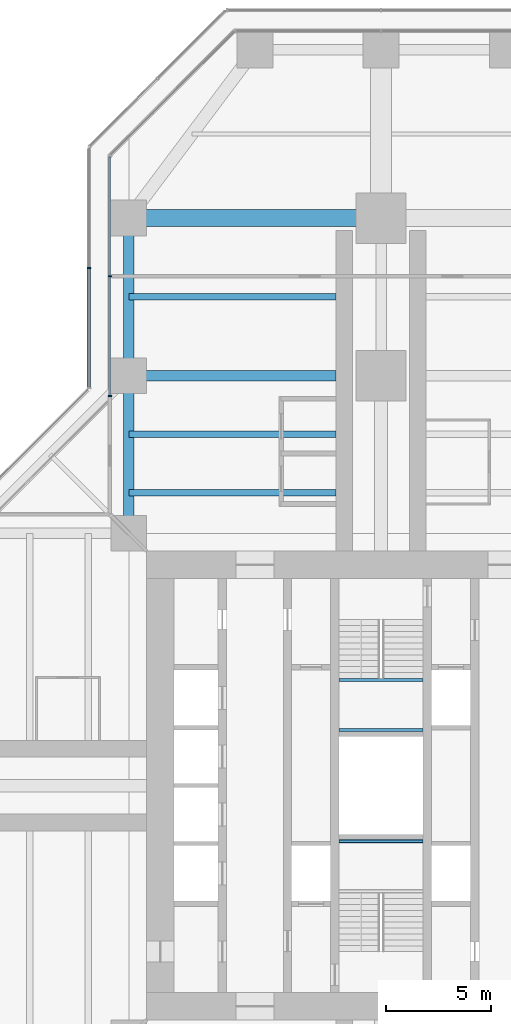
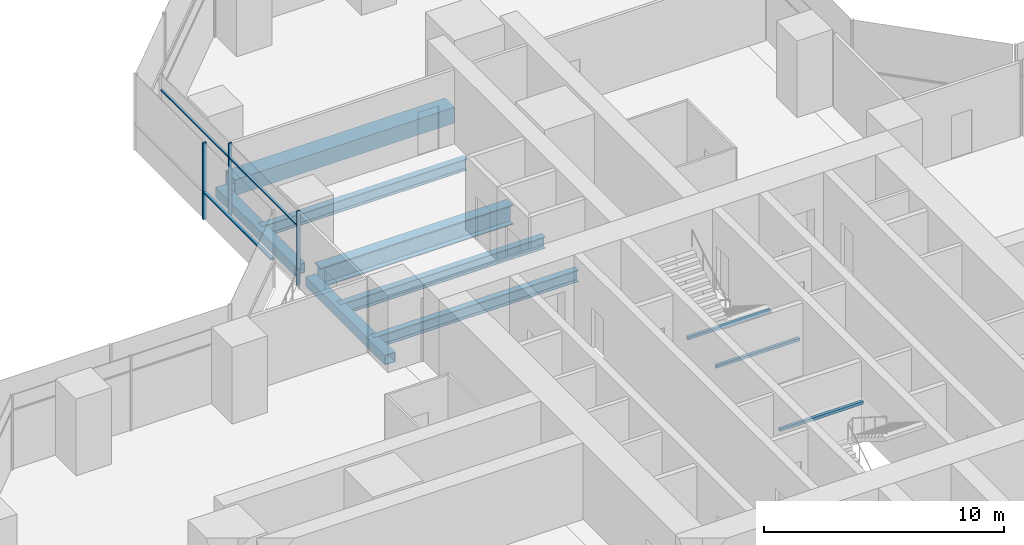
# One storey, part 9 of 22: 10 beams, 6 members, 2 elements without a shape of their own.
"""IFC4 building model written with IfcOpenShell, lengths in metres."""

from ifc_helpers import new_model, si_unit, direction, frame, origin, origin_2d, place, context, subcontext, project, spatial, rectangle, hollow_rectangle, i_section, extrude, material, material_profile, profile_set, type_object, element, aggregate, save


model = new_model("IFC4")

# Units and contexts
model_context = context("Model", 3, precision=1e-05, world=origin(), true_north=direction((0.0, 1.0)))
body_context = subcontext(model_context, "Body", "Model", "MODEL_VIEW")
ifc_project = project(units=[si_unit("LENGTHUNIT", "METRE"), si_unit("AREAUNIT", "SQUARE_METRE"), si_unit("VOLUMEUNIT", "CUBIC_METRE"), si_unit("PLANEANGLEUNIT", "RADIAN"), si_unit("MASSUNIT", "GRAM", prefix="KILO")], contexts=[model_context])

# Site, building, storey
site_placement = place(None, origin())
site = spatial("IfcSite", under=ifc_project, at=site_placement, CompositionType="ELEMENT")
building_placement = place(site_placement, origin())
building = spatial("IfcBuilding", under=site, at=building_placement, Name="Mizan Broadcast Tower", CompositionType="ELEMENT")
storey_placement = place(building_placement, frame((0.0, 0.0, 66.89990234375)))
storey = spatial("IfcBuildingStorey", under=building, at=storey_placement, Name="L13", CompositionType="ELEMENT", Elevation=66.89990234375)

# Beams
ifc_material_1 = material(Name="Steel S355", Category="steel")
ifc_material_profile_1 = material_profile(ifc_material_1, hollow_rectangle(XDim=0.5, YDim=0.5, WallThickness=0.030029296875, at=origin_2d()), Name="BOX 500x500x30")
ifc_profile_set_1 = profile_set([ifc_material_profile_1], Name="Steel S355")
beam_type_1 = type_object("IfcBeamType", Name="EDGE BEAM BOX 500x500x30", PredefinedType="SPANDREL", material=ifc_profile_set_1)
for number, where, z_axis, x_axis, name in (
    (1, (-12.0, 12.449951171875, -0.3798828125), (0.0, 1.0, 0.0), (-1.0, 0.0, 0.0), "Edge beam BOX 500x500x30 L13 north arm"),
    (2, (-12.0, 19.949951171875, -0.3798828125), (0.0, 1.0, 0.0), (-1.0, 0.0, 0.0), "Edge beam BOX 500x500x30 L13 north arm"),
):
    element("IfcBeam", number, at=place(storey_placement, frame(where, z_axis=z_axis, x_axis=x_axis)), inside=storey, type_object=beam_type_1, Name=name, PredefinedType="SPANDREL", context=body_context, shape_type="SweptSolid", body=[
        extrude(hollow_rectangle(XDim=0.5, YDim=0.5, WallThickness=0.030029296875, at=origin_2d()), origin(), (0.0, 0.0, 1.0), 6.60009765625),
    ])
ifc_material_2 = material(Name="Steel S460", Category="steel")
ifc_material_profile_2 = material_profile(ifc_material_2, hollow_rectangle(XDim=0.800048828125, YDim=0.800048828125, WallThickness=0.050048828125, at=origin_2d()), Name="BOX 800x800x50")
ifc_profile_set_2 = profile_set([ifc_material_profile_2], Name="Steel S460")
beam_type_2 = type_object("IfcBeamType", Name="GIRDER BOX 800x800x50", PredefinedType="BEAM", material=ifc_profile_set_2)
beam_1_placement = place(storey_placement, frame((-11.280029296875, 27.0, -0.52978515625), z_axis=(1.0, 0.0, 0.0), x_axis=(0.0, 1.0, 0.0)))
element("IfcBeam", 3, at=beam_1_placement, inside=storey, type_object=beam_type_2, Name="Girder BOX 800x800x50 L13 north arm", PredefinedType="BEAM", context=body_context, shape_type="SweptSolid", body=[
    extrude(hollow_rectangle(XDim=0.800048828125, YDim=0.800048828125, WallThickness=0.050048828125, at=origin_2d()), origin(), (0.0, 0.0, 1.0), 10.56005859375),
])
ifc_material_3 = material(Name="Steel S460", Category="steel")
ifc_material_profile_3 = material_profile(ifc_material_3, i_section(OverallWidth=0.5, OverallDepth=1.0, WebThickness=0.02490234375, FlangeThickness=0.050048828125, at=origin_2d()), Name="WPG 1000x500")
ifc_profile_set_3 = profile_set([ifc_material_profile_3], Name="Steel S460")
beam_type_3 = type_object("IfcBeamType", Name="GIRDER WPG 1000x500", PredefinedType="BEAM", material=ifc_profile_set_3)
beam_2_placement = place(storey_placement, frame((-11.408935546875, 19.5, -0.6298828125), z_axis=(1.0, 0.0, 0.0), x_axis=(0.0, 1.0, 0.0)))
element("IfcBeam", 4, at=beam_2_placement, inside=storey, type_object=beam_type_3, Name="Girder WPG 1000x500 L13 north arm", PredefinedType="BEAM", context=body_context, shape_type="SweptSolid", body=[
    extrude(i_section(OverallWidth=0.5, OverallDepth=1.0, WebThickness=0.02490234375, FlangeThickness=0.050048828125, at=origin_2d()), origin(), (0.0, 0.0, 1.0), 9.259033203125),
])

# Curtain wall, members
ifc_material_4 = material(Name="Aluminium framed glazing", Category="aluminium")
curtain_wall_type_1 = type_object("IfcCurtainWallType", Name="INNER SKIN LOW ZONE", PredefinedType="USERDEFINED", material=ifc_material_4)
curtain_wall_1_placement = place(storey_placement, origin())
curtain_wall_1 = element("IfcCurtainWall", 5, at=curtain_wall_1_placement, inside=storey, type_object=curtain_wall_type_1, Name="Inner skin low zone L13 N side", ObjectType="INNER SKIN LOW ZONE", PredefinedType="USERDEFINED")
ifc_material_5 = material(Name="Aluminium, pale anodised", Category="aluminium")
ifc_material_profile_4 = material_profile(ifc_material_5, rectangle(XDim=0.159912109375, YDim=0.06005859375, at=origin_2d()), Name="MULLION 160x60")
ifc_profile_set_4 = profile_set([ifc_material_profile_4], Name="Aluminium, pale anodised")
member_type_1 = type_object("IfcMemberType", Name="INNER SKIN MULLION 60x160", PredefinedType="MULLION", material=ifc_profile_set_4)
member_1_placement = place(storey_placement, frame((-12.89990234375, 24.229248046875, 0.0), z_axis=(0.0, 0.0, 1.0), x_axis=(1.0, 0.0, 0.0)))
member_1 = element("IfcMember", 6, at=member_1_placement, type_object=member_type_1, Name="Inner skin low zone L13 N side mullion 2", PredefinedType="MULLION", context=body_context, shape_type="SweptSolid", body=[
    extrude(rectangle(XDim=0.159912109375, YDim=0.06005859375, at=origin_2d()), origin(), (0.0, 0.0, 1.0), 3.77001953125),
])
member_2_placement = place(storey_placement, frame((-12.89990234375, 18.530029296875, 0.0), z_axis=(0.0, 0.0, 1.0), x_axis=(1.0, 0.0, 0.0)))
member_2 = element("IfcMember", 7, at=member_2_placement, type_object=member_type_1, Name="Inner skin low zone L13 N side mullion 3", PredefinedType="MULLION", context=body_context, shape_type="SweptSolid", body=[
    extrude(rectangle(XDim=0.159912109375, YDim=0.06005859375, at=origin_2d()), origin(), (0.0, 0.0, 1.0), 3.77001953125),
])
ifc_material_6 = material(Name="Aluminium, pale anodised", Category="aluminium")
ifc_material_profile_5 = material_profile(ifc_material_6, rectangle(XDim=0.1201171875, YDim=0.06005859375, at=origin_2d()), Name="TRANSOM 120x60")
ifc_profile_set_5 = profile_set([ifc_material_profile_5], Name="Aluminium, pale anodised")
member_type_2 = type_object("IfcMemberType", Name="INNER SKIN TRANSOM 60x120", PredefinedType="USERDEFINED", material=ifc_profile_set_5)
member_3_placement = place(storey_placement, frame((-12.89990234375, 29.898681640625, 3.030029296875), z_axis=(0.0, -1.0, 0.0), x_axis=(1.0, 0.0, 0.0)))
member_3 = element("IfcMember", 8, at=member_3_placement, type_object=member_type_2, Name="Inner skin low zone L13 N side transom 1.1", ObjectType="TRANSOM", PredefinedType="USERDEFINED", context=body_context, shape_type="SweptSolid", body=[
    extrude(rectangle(XDim=0.1201171875, YDim=0.06005859375, at=origin_2d()), origin(), (0.0, 0.0, 1.0), 5.639404296875),
])
member_4_placement = place(storey_placement, frame((-12.89990234375, 24.19921875, 3.030029296875), z_axis=(0.0, -1.0, 0.0), x_axis=(1.0, 0.0, 0.0)))
member_4 = element("IfcMember", 9, at=member_4_placement, type_object=member_type_2, Name="Inner skin low zone L13 N side transom 2.1", ObjectType="TRANSOM", PredefinedType="USERDEFINED", context=body_context, shape_type="SweptSolid", body=[
    extrude(rectangle(XDim=0.1201171875, YDim=0.06005859375, at=origin_2d()), origin(), (0.0, 0.0, 1.0), 5.63916015625),
])
aggregate(curtain_wall_1, [member_1, member_2, member_3, member_4])

# Beams
ifc_material_7 = material(Name="Steel S355", Category="steel")
ifc_material_profile_6 = material_profile(ifc_material_7, hollow_rectangle(XDim=0.14990234375, YDim=0.14990234375, WallThickness=0.008056640625, InnerFilletRadius=0.008056640625, OuterFilletRadius=0.011962890625, at=origin_2d()), Name="SHS 150x150x8")
ifc_profile_set_6 = profile_set([ifc_material_profile_6], Name="Steel S355")
beam_type_4 = type_object("IfcBeamType", Name="LANDING TRIMMER SHS 150x150x8", PredefinedType="BEAM", material=ifc_profile_set_6)
for number, where, z_axis, x_axis, name in (
    (10, (-2.0, -2.64990234375, 1.675048828125), (1.0, 0.0, 0.0), (0.0, 1.0, 0.0), "Stair A landing trimmer L13"),
    (11, (2.0, 5.02490234375, 1.675048828125), (-1.0, 0.0, 0.0), (0.0, -1.0, 0.0), "Stair B landing trimmer L13"),
    (12, (2.0, 2.64990234375, 1.675048828125), (-1.0, 0.0, 0.0), (0.0, -1.0, 0.0), "Stair B landing trimmer L13"),
):
    element("IfcBeam", number, at=place(storey_placement, frame(where, z_axis=z_axis, x_axis=x_axis)), inside=storey, type_object=beam_type_4, Name=name, PredefinedType="BEAM", context=body_context, shape_type="SweptSolid", body=[
        extrude(hollow_rectangle(XDim=0.14990234375, YDim=0.14990234375, WallThickness=0.008056640625, InnerFilletRadius=0.008056640625, OuterFilletRadius=0.011962890625, at=origin_2d()), origin(), (0.0, 0.0, 1.0), 4.0),
    ])

# Curtain wall, members
ifc_material_8 = material(Name="Aluminium framed glazing", Category="aluminium")
curtain_wall_type_2 = type_object("IfcCurtainWallType", Name="OUTER SKIN", PredefinedType="USERDEFINED", material=ifc_material_8)
curtain_wall_2_placement = place(storey_placement, origin())
curtain_wall_2 = element("IfcCurtainWall", 13, at=curtain_wall_2_placement, inside=storey, type_object=curtain_wall_type_2, Name="Outer skin L13 N side", ObjectType="OUTER SKIN", PredefinedType="USERDEFINED")
ifc_material_9 = material(Name="Aluminium, pale anodised", Category="aluminium")
ifc_material_profile_7 = material_profile(ifc_material_9, rectangle(XDim=0.159912109375, YDim=0.080078125, at=origin_2d()), Name="MULLION 160x80")
ifc_profile_set_7 = profile_set([ifc_material_profile_7], Name="Aluminium, pale anodised")
member_type_3 = type_object("IfcMemberType", Name="OUTER SKIN MULLION 80x160", PredefinedType="MULLION", material=ifc_profile_set_7)
member_5_placement = place(storey_placement, frame((-13.89990234375, 24.622802734375, 0.0), z_axis=(0.0, 0.0, 1.0), x_axis=(1.0, 0.0, 0.0)))
member_5 = element("IfcMember", 14, at=member_5_placement, type_object=member_type_3, Name="Outer skin L13 N side mullion 2", PredefinedType="MULLION", context=body_context, shape_type="SweptSolid", body=[
    extrude(rectangle(XDim=0.159912109375, YDim=0.080078125, at=origin_2d()), origin(), (0.0, 0.0, 1.0), 3.900146484375),
])
ifc_material_10 = material(Name="Aluminium, pale anodised", Category="aluminium")
ifc_material_profile_8 = material_profile(ifc_material_10, rectangle(XDim=0.159912109375, YDim=0.06005859375, at=origin_2d()), Name="TRANSOM 160x60")
ifc_profile_set_8 = profile_set([ifc_material_profile_8], Name="Aluminium, pale anodised")
member_type_4 = type_object("IfcMemberType", Name="OUTER SKIN TRANSOM 60x160", PredefinedType="USERDEFINED", material=ifc_profile_set_8)
member_6_placement = place(storey_placement, frame((-13.89990234375, 24.582763671875, 1.400146484375), z_axis=(0.0, -1.0, 0.0), x_axis=(1.0, 0.0, 0.0)))
member_6 = element("IfcMember", 15, at=member_6_placement, type_object=member_type_4, Name="Outer skin L13 N side transom 2.1", ObjectType="TRANSOM", PredefinedType="USERDEFINED", context=body_context, shape_type="SweptSolid", body=[
    extrude(rectangle(XDim=0.159912109375, YDim=0.06005859375, at=origin_2d()), origin(), (0.0, 0.0, 1.0), 5.6298828125),
])
aggregate(curtain_wall_2, [member_5, member_6])

# Beams
ifc_material_11 = material(Name="Steel S355", Category="steel")
ifc_material_profile_9 = material_profile(ifc_material_11, i_section(OverallWidth=0.300048828125, OverallDepth=0.590087890625, WebThickness=0.012939453125, FlangeThickness=0.02490234375, FilletRadius=0.027099609375, at=origin_2d()), Name="HEA 600")
ifc_profile_set_9 = profile_set([ifc_material_profile_9], Name="Steel S355")
beam_type_5 = type_object("IfcBeamType", Name="SECONDARY BEAM HEA 600", PredefinedType="JOIST", material=ifc_profile_set_9)
for number, where, z_axis, x_axis, name in (
    (16, (-12.0, 13.933349609375, -0.4248046875), (1.0, 0.0, 0.0), (0.0, 1.0, 0.0), "Secondary beam HEA 600 L13 north arm"),
    (17, (-12.0, 16.716552734375, -0.4248046875), (1.0, 0.0, 0.0), (0.0, 1.0, 0.0), "Secondary beam HEA 600 L13 north arm"),
    (18, (-12.0, 23.25, -0.4248046875), (1.0, 0.0, 0.0), (0.0, 1.0, 0.0), "Secondary beam HEA 600 L13 north arm"),
):
    element("IfcBeam", number, at=place(storey_placement, frame(where, z_axis=z_axis, x_axis=x_axis)), inside=storey, type_object=beam_type_5, Name=name, PredefinedType="JOIST", context=body_context, shape_type="SweptSolid", body=[
        extrude(i_section(OverallWidth=0.300048828125, OverallDepth=0.590087890625, WebThickness=0.012939453125, FlangeThickness=0.02490234375, FilletRadius=0.027099609375, at=origin_2d()), origin(), (0.0, 0.0, 1.0), 9.85009765625),
    ])

save(model, "model.ifc")
